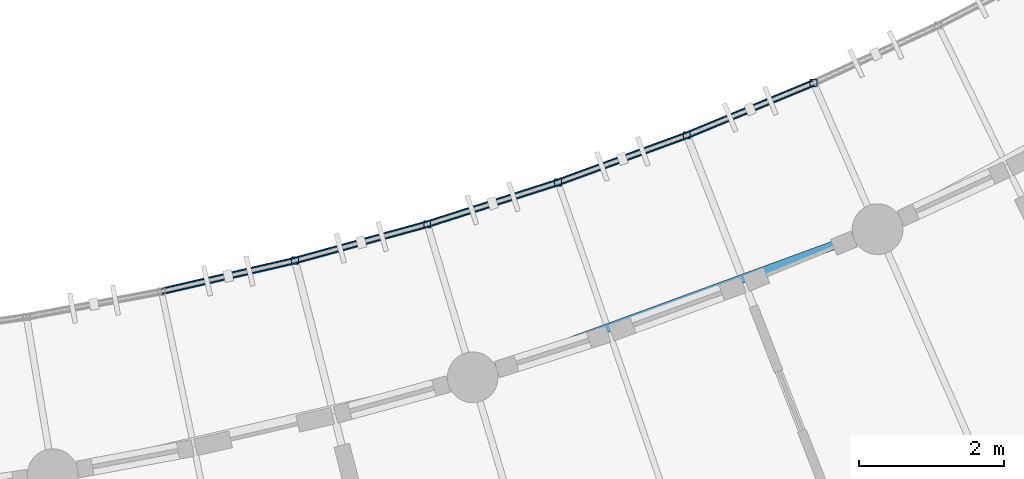
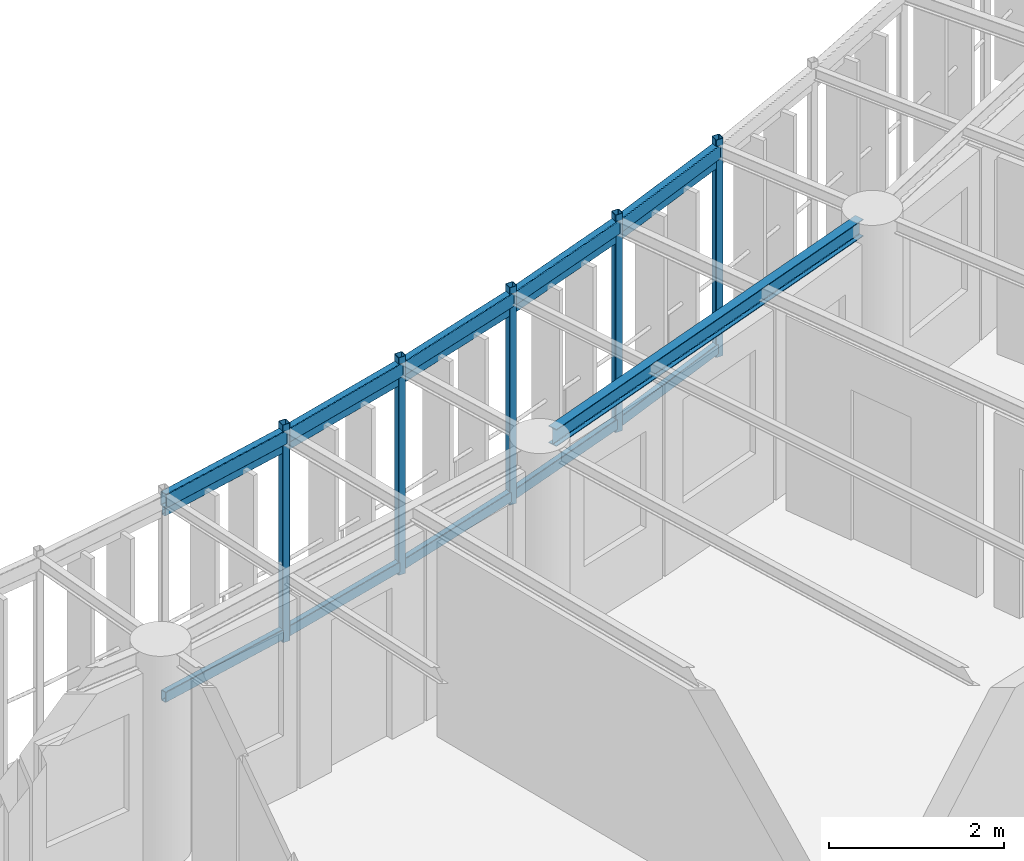
# One storey, part 19 of 123: 15 members, 6 beams.
"""IFC4 building model written with IfcOpenShell, lengths in metres."""

from ifc_helpers import new_model, si_unit, direction, frame, origin, origin_2d, place, context, subcontext, project, spatial, hollow_rectangle, i_section, extrude, material, material_profile, profile_set, type_object, element, save


model = new_model("IFC4")

# Units and contexts
model_context = context("Model", 3, precision=1e-05, world=origin(), true_north=direction((0.0, 1.0)))
body_context = subcontext(model_context, "Body", "Model", "MODEL_VIEW")
ifc_project = project(units=[si_unit("LENGTHUNIT", "METRE"), si_unit("AREAUNIT", "SQUARE_METRE"), si_unit("VOLUMEUNIT", "CUBIC_METRE"), si_unit("PLANEANGLEUNIT", "RADIAN"), si_unit("MASSUNIT", "GRAM", prefix="KILO"), si_unit("POWERUNIT", "WATT"), si_unit("THERMODYNAMICTEMPERATUREUNIT", "KELVIN")], contexts=[model_context])

# Site, building, storey
site_placement = place(None, origin())
site = spatial("IfcSite", under=ifc_project, at=site_placement, CompositionType="ELEMENT")
building_placement = place(site_placement, origin())
building = spatial("IfcBuilding", under=site, at=building_placement, Name="Ruvembo Vaulted Housing Court", CompositionType="ELEMENT")
storey_placement = place(building_placement, frame((0.0, 0.0, 7.699951171875)))
storey = spatial("IfcBuildingStorey", under=building, at=storey_placement, Name="L02", CompositionType="ELEMENT", Elevation=7.699951171875)

# Beams
ifc_material = material(Name="Steel S355J2", Category="steel")
ifc_material_profile_1 = material_profile(ifc_material, i_section(OverallWidth=0.1201171875, OverallDepth=0.239990234375, WebThickness=0.006103515625, FlangeThickness=0.009765625, FilletRadius=0.014892578125, at=origin_2d()), Name="IPE 240")
ifc_profile_set_1 = profile_set([ifc_material_profile_1], Name="Steel S355J2")
beam_type_1 = type_object("IfcBeamType", Name="BM-ST-IPE240", PredefinedType="BEAM", material=ifc_profile_set_1)
beam_1_placement = place(storey_placement, frame((82.88525390625, 16.06640625, 2.822021484375), z_axis=(0.939148809828, 0.343510571888, 0.0), x_axis=(-0.343510571888, 0.939148809828, 0.0)))
element("IfcBeam", 1, at=beam_1_placement, inside=storey, type_object=beam_type_1, Name="Scoop SC2 L02 Chord Girder F21", PredefinedType="BEAM", context=body_context, shape_type="SweptSolid", body=[
    extrude(i_section(OverallWidth=0.1201171875, OverallDepth=0.239990234375, WebThickness=0.006103515625, FlangeThickness=0.009765625, FilletRadius=0.014892578125, at=origin_2d()), origin(), (0.0, 0.0, 1.0), 5.476806640625),
])
ifc_material_profile_2 = material_profile(ifc_material, hollow_rectangle(XDim=0.10009765625, YDim=0.199951171875, WallThickness=0.008056640625, InnerFilletRadius=0.008056640625, OuterFilletRadius=0.01611328125, at=origin_2d()), Name="RHS 200x100x8")
ifc_profile_set_2 = profile_set([ifc_material_profile_2], Name="Steel S355J2")
beam_type_2 = type_object("IfcBeamType", Name="BM-ST-RHS200", PredefinedType="SPANDREL", material=ifc_profile_set_2)
beam_2_placement = place(storey_placement, frame((78.380126953125, 17.1708984375, 2.840087890625), z_axis=(0.974391195695, 0.224859506699, 0.0), x_axis=(-0.224859506699, 0.974391195695, 0.0)))
element("IfcBeam", 2, at=beam_2_placement, inside=storey, type_object=beam_type_2, Name="Scoop SC2 L02 Balcony Edge Spandrel 19", PredefinedType="SPANDREL", context=body_context, shape_type="SweptSolid", body=[
    extrude(hollow_rectangle(XDim=0.10009765625, YDim=0.199951171875, WallThickness=0.008056640625, InnerFilletRadius=0.008056640625, OuterFilletRadius=0.01611328125, at=origin_2d()), origin(), (0.0, 0.0, 1.0), 1.88916015625),
])
beam_3_placement = place(storey_placement, frame((80.220947265625, 17.595703125, 2.840087890625), z_axis=(0.964240073493, 0.26503033915, 0.0), x_axis=(-0.26503033915, 0.964240073493, 0.0)))
element("IfcBeam", 3, at=beam_3_placement, inside=storey, type_object=beam_type_2, Name="Scoop SC2 L02 Balcony Edge Spandrel 20", PredefinedType="SPANDREL", context=body_context, shape_type="SweptSolid", body=[
    extrude(hollow_rectangle(XDim=0.10009765625, YDim=0.199951171875, WallThickness=0.008056640625, InnerFilletRadius=0.008056640625, OuterFilletRadius=0.01611328125, at=origin_2d()), origin(), (0.0, 0.0, 1.0), 1.889404296875),
])
beam_4_placement = place(storey_placement, frame((82.042724609375, 18.096435546875, 2.840087890625), z_axis=(0.952526124364, 0.304456864605, 0.0), x_axis=(-0.304456864605, 0.952526124364, 0.0)))
element("IfcBeam", 4, at=beam_4_placement, inside=storey, type_object=beam_type_2, Name="Scoop SC2 L02 Balcony Edge Spandrel 21", PredefinedType="SPANDREL", context=body_context, shape_type="SweptSolid", body=[
    extrude(hollow_rectangle(XDim=0.10009765625, YDim=0.199951171875, WallThickness=0.008056640625, InnerFilletRadius=0.008056640625, OuterFilletRadius=0.01611328125, at=origin_2d()), origin(), (0.0, 0.0, 1.0), 1.88916015625),
])
beam_5_placement = place(storey_placement, frame((83.84228515625, 18.671630859375, 2.840087890625), z_axis=(0.939165556371, 0.343464783824, 0.0), x_axis=(-0.343464783824, 0.939165556371, 0.0)))
element("IfcBeam", 5, at=beam_5_placement, inside=storey, type_object=beam_type_2, Name="Scoop SC2 L02 Balcony Edge Spandrel 22", PredefinedType="SPANDREL", context=body_context, shape_type="SweptSolid", body=[
    extrude(hollow_rectangle(XDim=0.10009765625, YDim=0.199951171875, WallThickness=0.008056640625, InnerFilletRadius=0.008056640625, OuterFilletRadius=0.01611328125, at=origin_2d()), origin(), (0.0, 0.0, 1.0), 1.889404296875),
])
beam_6_placement = place(storey_placement, frame((85.61669921875, 19.320556640625, 2.840087890625), z_axis=(0.924155321549, 0.38201693896, 0.0), x_axis=(-0.38201693896, 0.924155321549, 0.0)))
element("IfcBeam", 6, at=beam_6_placement, inside=storey, type_object=beam_type_2, Name="Scoop SC2 L02 Balcony Edge Spandrel 23", PredefinedType="SPANDREL", context=body_context, shape_type="SweptSolid", body=[
    extrude(hollow_rectangle(XDim=0.10009765625, YDim=0.199951171875, WallThickness=0.008056640625, InnerFilletRadius=0.008056640625, OuterFilletRadius=0.01611328125, at=origin_2d()), origin(), (0.0, 0.0, 1.0), 1.88916015625),
])

# Members
ifc_material_profile_3 = material_profile(ifc_material, hollow_rectangle(XDim=0.06005859375, YDim=0.1201171875, WallThickness=0.0048828125, InnerFilletRadius=0.0048828125, OuterFilletRadius=0.010009765625, at=origin_2d()), Name="RHS 120x60x5")
ifc_profile_set_3 = profile_set([ifc_material_profile_3], Name="Steel S355J2")
member_type_1 = type_object("IfcMemberType", Name="MEM-CAR-RHS120", PredefinedType="CHORD", material=ifc_profile_set_3)
member_1_placement = place(storey_placement, frame((78.380126953125, 17.1708984375, 2.68310546875), z_axis=(0.974391195695, 0.224859506699, 0.0), x_axis=(-0.224859506699, 0.974391195695, 0.0)))
element("IfcMember", 7, at=member_1_placement, inside=storey, type_object=member_type_1, Name="Scoop SC2 L02 Upper Louvre Carrier Rail 19", PredefinedType="CHORD", context=body_context, shape_type="SweptSolid", body=[
    extrude(hollow_rectangle(XDim=0.06005859375, YDim=0.1201171875, WallThickness=0.0048828125, InnerFilletRadius=0.0048828125, OuterFilletRadius=0.010009765625, at=origin_2d()), origin(), (0.0, 0.0, 1.0), 1.88916015625),
])
member_2_placement = place(storey_placement, frame((80.220947265625, 17.595703125, 2.68310546875), z_axis=(0.964240073493, 0.26503033915, 0.0), x_axis=(-0.26503033915, 0.964240073493, 0.0)))
element("IfcMember", 8, at=member_2_placement, inside=storey, type_object=member_type_1, Name="Scoop SC2 L02 Upper Louvre Carrier Rail 20", PredefinedType="CHORD", context=body_context, shape_type="SweptSolid", body=[
    extrude(hollow_rectangle(XDim=0.06005859375, YDim=0.1201171875, WallThickness=0.0048828125, InnerFilletRadius=0.0048828125, OuterFilletRadius=0.010009765625, at=origin_2d()), origin(), (0.0, 0.0, 1.0), 1.889404296875),
])
member_3_placement = place(storey_placement, frame((82.042724609375, 18.096435546875, 2.68310546875), z_axis=(0.952526124364, 0.304456864605, 0.0), x_axis=(-0.304456864605, 0.952526124364, 0.0)))
element("IfcMember", 9, at=member_3_placement, inside=storey, type_object=member_type_1, Name="Scoop SC2 L02 Upper Louvre Carrier Rail 21", PredefinedType="CHORD", context=body_context, shape_type="SweptSolid", body=[
    extrude(hollow_rectangle(XDim=0.06005859375, YDim=0.1201171875, WallThickness=0.0048828125, InnerFilletRadius=0.0048828125, OuterFilletRadius=0.010009765625, at=origin_2d()), origin(), (0.0, 0.0, 1.0), 1.88916015625),
])
member_4_placement = place(storey_placement, frame((83.84228515625, 18.671630859375, 2.68310546875), z_axis=(0.939165556371, 0.343464783824, 0.0), x_axis=(-0.343464783824, 0.939165556371, 0.0)))
element("IfcMember", 10, at=member_4_placement, inside=storey, type_object=member_type_1, Name="Scoop SC2 L02 Upper Louvre Carrier Rail 22", PredefinedType="CHORD", context=body_context, shape_type="SweptSolid", body=[
    extrude(hollow_rectangle(XDim=0.06005859375, YDim=0.1201171875, WallThickness=0.0048828125, InnerFilletRadius=0.0048828125, OuterFilletRadius=0.010009765625, at=origin_2d()), origin(), (0.0, 0.0, 1.0), 1.889404296875),
])
member_5_placement = place(storey_placement, frame((85.61669921875, 19.320556640625, 2.68310546875), z_axis=(0.924155321549, 0.38201693896, 0.0), x_axis=(-0.38201693896, 0.924155321549, 0.0)))
element("IfcMember", 11, at=member_5_placement, inside=storey, type_object=member_type_1, Name="Scoop SC2 L02 Upper Louvre Carrier Rail 23", PredefinedType="CHORD", context=body_context, shape_type="SweptSolid", body=[
    extrude(hollow_rectangle(XDim=0.06005859375, YDim=0.1201171875, WallThickness=0.0048828125, InnerFilletRadius=0.0048828125, OuterFilletRadius=0.010009765625, at=origin_2d()), origin(), (0.0, 0.0, 1.0), 1.88916015625),
])
ifc_material_profile_4 = material_profile(ifc_material, hollow_rectangle(XDim=0.080078125, YDim=0.14990234375, WallThickness=0.00634765625, InnerFilletRadius=0.00634765625, OuterFilletRadius=0.0126953125, at=origin_2d()), Name="RHS 150x80x6.3")
ifc_profile_set_4 = profile_set([ifc_material_profile_4], Name="Steel S355J2")
member_type_2 = type_object("IfcMemberType", Name="MEM-CAR-RHS150", PredefinedType="CHORD", material=ifc_profile_set_4)
member_6_placement = place(storey_placement, frame((78.380126953125, 17.1708984375, 0.094970703125), z_axis=(0.974391195695, 0.224859506699, 0.0), x_axis=(-0.224859506699, 0.974391195695, 0.0)))
element("IfcMember", 12, at=member_6_placement, inside=storey, type_object=member_type_2, Name="Scoop SC2 L02 Lower Louvre Carrier Rail 19", PredefinedType="CHORD", context=body_context, shape_type="SweptSolid", body=[
    extrude(hollow_rectangle(XDim=0.080078125, YDim=0.14990234375, WallThickness=0.00634765625, InnerFilletRadius=0.00634765625, OuterFilletRadius=0.0126953125, at=origin_2d()), origin(), (0.0, 0.0, 1.0), 1.88916015625),
])
member_7_placement = place(storey_placement, frame((80.220947265625, 17.595703125, 0.094970703125), z_axis=(0.964240073493, 0.26503033915, 0.0), x_axis=(-0.26503033915, 0.964240073493, 0.0)))
element("IfcMember", 13, at=member_7_placement, inside=storey, type_object=member_type_2, Name="Scoop SC2 L02 Lower Louvre Carrier Rail 20", PredefinedType="CHORD", context=body_context, shape_type="SweptSolid", body=[
    extrude(hollow_rectangle(XDim=0.080078125, YDim=0.14990234375, WallThickness=0.00634765625, InnerFilletRadius=0.00634765625, OuterFilletRadius=0.0126953125, at=origin_2d()), origin(), (0.0, 0.0, 1.0), 1.889404296875),
])
member_8_placement = place(storey_placement, frame((82.042724609375, 18.096435546875, 0.094970703125), z_axis=(0.952526124364, 0.304456864605, 0.0), x_axis=(-0.304456864605, 0.952526124364, 0.0)))
element("IfcMember", 14, at=member_8_placement, inside=storey, type_object=member_type_2, Name="Scoop SC2 L02 Lower Louvre Carrier Rail 21", PredefinedType="CHORD", context=body_context, shape_type="SweptSolid", body=[
    extrude(hollow_rectangle(XDim=0.080078125, YDim=0.14990234375, WallThickness=0.00634765625, InnerFilletRadius=0.00634765625, OuterFilletRadius=0.0126953125, at=origin_2d()), origin(), (0.0, 0.0, 1.0), 1.88916015625),
])
member_9_placement = place(storey_placement, frame((83.84228515625, 18.671630859375, 0.094970703125), z_axis=(0.939165556371, 0.343464783824, 0.0), x_axis=(-0.343464783824, 0.939165556371, 0.0)))
element("IfcMember", 15, at=member_9_placement, inside=storey, type_object=member_type_2, Name="Scoop SC2 L02 Lower Louvre Carrier Rail 22", PredefinedType="CHORD", context=body_context, shape_type="SweptSolid", body=[
    extrude(hollow_rectangle(XDim=0.080078125, YDim=0.14990234375, WallThickness=0.00634765625, InnerFilletRadius=0.00634765625, OuterFilletRadius=0.0126953125, at=origin_2d()), origin(), (0.0, 0.0, 1.0), 1.889404296875),
])
member_10_placement = place(storey_placement, frame((85.61669921875, 19.320556640625, 0.094970703125), z_axis=(0.924155321549, 0.38201693896, 0.0), x_axis=(-0.38201693896, 0.924155321549, 0.0)))
element("IfcMember", 16, at=member_10_placement, inside=storey, type_object=member_type_2, Name="Scoop SC2 L02 Lower Louvre Carrier Rail 23", PredefinedType="CHORD", context=body_context, shape_type="SweptSolid", body=[
    extrude(hollow_rectangle(XDim=0.080078125, YDim=0.14990234375, WallThickness=0.00634765625, InnerFilletRadius=0.00634765625, OuterFilletRadius=0.0126953125, at=origin_2d()), origin(), (0.0, 0.0, 1.0), 1.88916015625),
])
ifc_material_profile_5 = material_profile(ifc_material, hollow_rectangle(XDim=0.10009765625, YDim=0.10009765625, WallThickness=0.00634765625, InnerFilletRadius=0.00634765625, OuterFilletRadius=0.0126953125, at=origin_2d()), Name="SHS 100x100x6.3")
ifc_profile_set_5 = profile_set([ifc_material_profile_5], Name="Steel S355J2")
member_type_3 = type_object("IfcMemberType", Name="MEM-FRM-SHS100", PredefinedType="STRUT", material=ifc_profile_set_5)
for number, where, z_axis, x_axis, name in (
    (17, (80.220947265625, 17.595703125, -0.014892578125), (0.0, 0.0, 1.0), (1.0, 0.0, 0.0), "Scoop SC2 L02 Louvre Frame Post 20"),
    (18, (82.042724609375, 18.096435546875, -0.014892578125), (0.0, 0.0, 1.0), (1.0, 0.0, 0.0), "Scoop SC2 L02 Louvre Frame Post 21"),
    (19, (83.84228515625, 18.671630859375, -0.014892578125), (0.0, 0.0, 1.0), (1.0, 0.0, 0.0), "Scoop SC2 L02 Louvre Frame Post 22"),
    (20, (85.61669921875, 19.320556640625, -0.014892578125), (0.0, 0.0, 1.0), (1.0, 0.0, 0.0), "Scoop SC2 L02 Louvre Frame Post 23"),
    (21, (87.362548828125, 20.042236328125, -0.014892578125), (0.0, 0.0, 1.0), (1.0, 0.0, 0.0), "Scoop SC2 L02 Louvre Frame Post 24"),
):
    element("IfcMember", number, at=place(storey_placement, frame(where, z_axis=z_axis, x_axis=x_axis)), inside=storey, type_object=member_type_3, Name=name, PredefinedType="STRUT", context=body_context, shape_type="SweptSolid", body=[
        extrude(hollow_rectangle(XDim=0.10009765625, YDim=0.10009765625, WallThickness=0.00634765625, InnerFilletRadius=0.00634765625, OuterFilletRadius=0.0126953125, at=origin_2d()), origin(), (0.0, 0.0, 1.0), 3.041015625),
    ])

save(model, "model.ifc")
